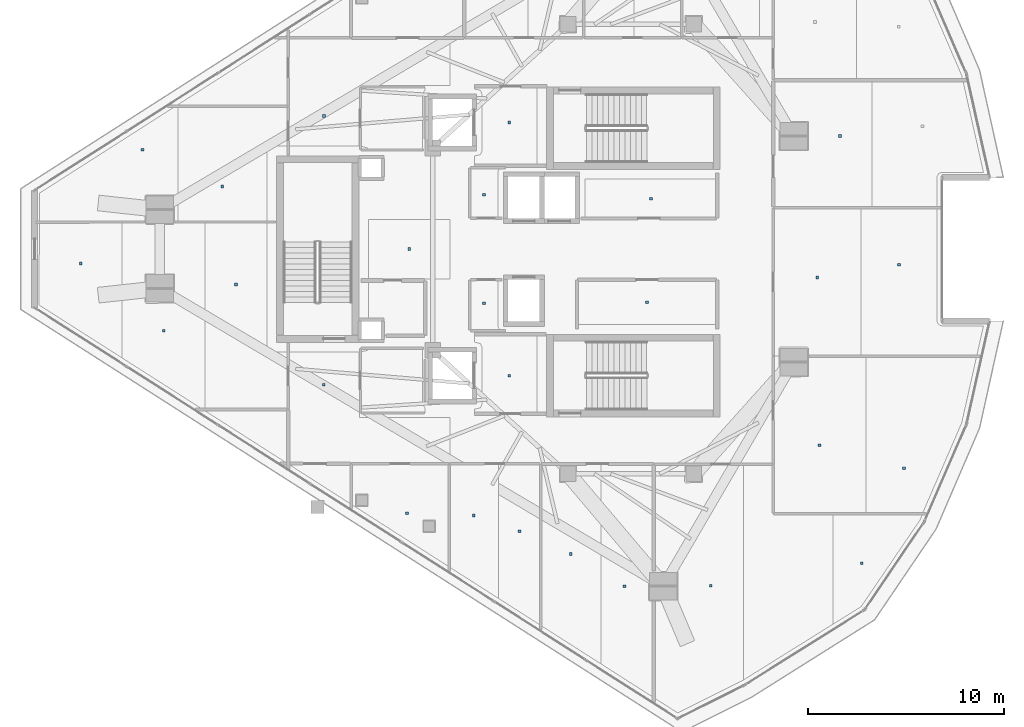
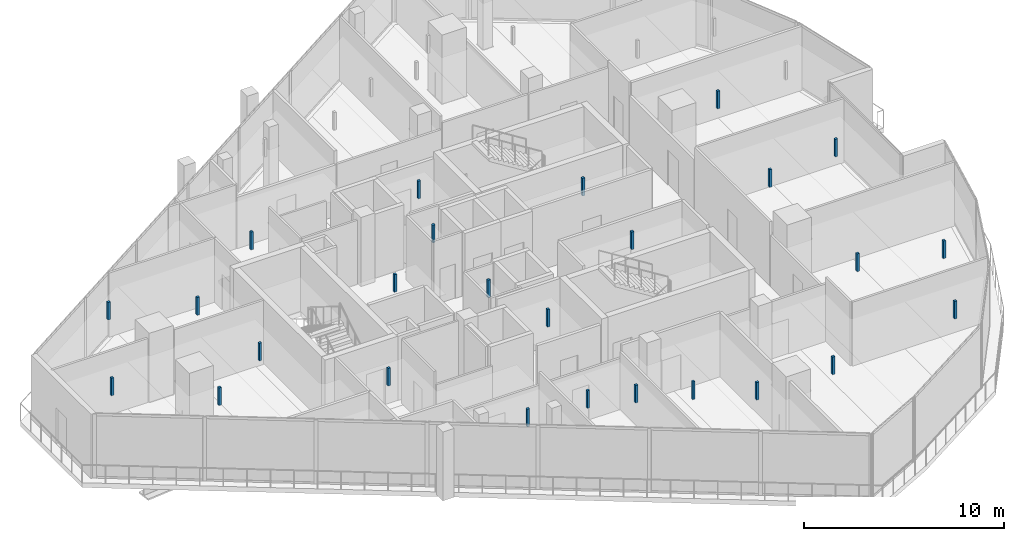
# One storey, part 23 of 29: 26 discrete accessories.
"""IFC4 building model written with IfcOpenShell, lengths in metres."""

from ifc_helpers import new_model, si_unit, direction, frame, origin, origin_2d, place, context, subcontext, project, spatial, rectangle, extrude, material, type_object, element, save


model = new_model("IFC4")

# Units and contexts
model_context = context("Model", 3, precision=1e-05, world=origin(), true_north=direction((0.0, 1.0)))
body_context = subcontext(model_context, "Body", "Model", "MODEL_VIEW")
ifc_project = project(units=[si_unit("LENGTHUNIT", "METRE"), si_unit("AREAUNIT", "SQUARE_METRE"), si_unit("VOLUMEUNIT", "CUBIC_METRE"), si_unit("PLANEANGLEUNIT", "RADIAN"), si_unit("MASSUNIT", "GRAM", prefix="KILO")], contexts=[model_context])

# Site, building, storey
site_placement = place(None, origin())
site = spatial("IfcSite", under=ifc_project, at=site_placement, CompositionType="ELEMENT")
building_placement = place(site_placement, origin())
building = spatial("IfcBuilding", under=site, at=building_placement, Name="Qorvath Tower", CompositionType="ELEMENT")
storey_placement = place(building_placement, frame((0.0, 0.0, 285.0)))
storey = spatial("IfcBuildingStorey", under=building, at=storey_placement, Name="L66", CompositionType="ELEMENT", Elevation=285.0)

# Discrete accessories
ifc_material = material(Name="Galvanised steel bracket", Category="steel")
discrete_accessory_type = type_object("IfcDiscreteAccessoryType", Name="DA-BRACKET", PredefinedType="BRACKET", material=ifc_material)
for number, where, z_axis, x_axis, name in (
    (1, (-26.590087890625, 6.449951171875, 2.85986328125), (0.0, 0.0, 1.0), (1.0, 0.0, 0.0), "Acoustic Ceiling Suspension Hanger T1-L66-001"),
    (2, (-26.590087890625, -6.449951171875, 2.85986328125), (0.0, 0.0, 1.0), (1.0, 0.0, 0.0), "Acoustic Ceiling Suspension Hanger T1-L66-002"),
    (3, (-19.37255859375, 2.5625, 2.85986328125), (0.0, 0.0, 1.0), (1.0, 0.0, 0.0), "Acoustic Ceiling Suspension Hanger T1-L66-003"),
    (4, (-19.574951171875, -2.70751953125, 2.85986328125), (0.0, 0.0, 1.0), (1.0, 0.0, 0.0), "Acoustic Ceiling Suspension Hanger T1-L66-004"),
    (5, (-27.87744140625, 2.762451171875, 2.85986328125), (0.0, 0.0, 1.0), (1.0, 0.0, 0.0), "Acoustic Ceiling Suspension Hanger T1-L66-005"),
    (6, (-27.87744140625, -2.762451171875, 2.85986328125), (0.0, 0.0, 1.0), (1.0, 0.0, 0.0), "Acoustic Ceiling Suspension Hanger T1-L66-006"),
    (7, (-36.04150390625, -6.908447265625, 2.85986328125), (0.0, 0.0, 1.0), (1.0, 0.0, 0.0), "Acoustic Ceiling Suspension Hanger T1-L66-010"),
    (8, (-36.040283203125, 6.782470703125, 2.85986328125), (0.0, 0.0, 1.0), (1.0, 0.0, 0.0), "Acoustic Ceiling Suspension Hanger T1-L66-011"),
    (9, (-31.6875, 0.0, 2.85986328125), (0.0, 0.0, 1.0), (1.0, 0.0, 0.0), "Acoustic Ceiling Suspension Hanger T1-L66-012"),
    (10, (-31.799560546875, -13.45849609375, 2.85986328125), (0.0, 0.0, 1.0), (1.0, 0.0, 0.0), "Acoustic Ceiling Suspension Hanger T1-L66-020"),
    (11, (-28.40087890625, -13.572509765625, 2.85986328125), (0.0, 0.0, 1.0), (1.0, 0.0, 0.0), "Acoustic Ceiling Suspension Hanger T1-L66-021"),
    (12, (-26.076171875, -14.37109375, 2.85986328125), (0.0, 0.0, 1.0), (1.0, 0.0, 0.0), "Acoustic Ceiling Suspension Hanger T1-L66-022"),
    (13, (-23.455810546875, -15.535888671875, 2.85986328125), (0.0, 0.0, 1.0), (1.0, 0.0, 0.0), "Acoustic Ceiling Suspension Hanger T1-L66-023"),
    (14, (-20.720458984375, -17.175537109375, 2.85986328125), (0.0, 0.0, 1.0), (1.0, 0.0, 0.0), "Acoustic Ceiling Suspension Hanger T1-L66-024"),
    (15, (-16.32958984375, -17.154296875, 2.85986328125), (0.0, 0.0, 1.0), (1.0, 0.0, 0.0), "Acoustic Ceiling Suspension Hanger T1-L66-025"),
    (16, (-8.632080078125, -16.005859375, 2.85986328125), (0.0, 0.0, 1.0), (1.0, 0.0, 0.0), "Acoustic Ceiling Suspension Hanger T1-L66-027"),
    (17, (-10.78369140625, -9.994384765625, 2.85986328125), (0.0, 0.0, 1.0), (1.0, 0.0, 0.0), "Acoustic Ceiling Suspension Hanger T1-L66-028"),
    (18, (-6.488037109375, -11.16943359375, 2.85986328125), (0.0, 0.0, 1.0), (1.0, 0.0, 0.0), "Acoustic Ceiling Suspension Hanger T1-L66-029"),
    (19, (-10.90234375, -1.451171875, 2.85986328125), (0.0, 0.0, 1.0), (1.0, 0.0, 0.0), "Acoustic Ceiling Suspension Hanger T1-L66-030"),
    (20, (-6.736083984375, -0.804443359375, 2.85986328125), (0.0, 0.0, 1.0), (1.0, 0.0, 0.0), "Acoustic Ceiling Suspension Hanger T1-L66-031"),
    (21, (-9.739501953125, 5.7578125, 2.85986328125), (0.0, 0.0, 1.0), (1.0, 0.0, 0.0), "Acoustic Ceiling Suspension Hanger T1-L66-032"),
    (22, (-48.431884765625, -0.73974609375, 2.85986328125), (0.0, 0.0, 1.0), (1.0, 0.0, 0.0), "Acoustic Ceiling Suspension Hanger T1-L66-037"),
    (23, (-44.20556640625, -4.157470703125, 2.85986328125), (0.0, 0.0, 1.0), (1.0, 0.0, 0.0), "Acoustic Ceiling Suspension Hanger T1-L66-038"),
    (24, (-40.520751953125, -1.80810546875, 2.85986328125), (0.0, 0.0, 1.0), (1.0, 0.0, 0.0), "Acoustic Ceiling Suspension Hanger T1-L66-039"),
    (25, (-45.2802734375, 5.05712890625, 2.85986328125), (0.0, 0.0, 1.0), (1.0, 0.0, 0.0), "Acoustic Ceiling Suspension Hanger T1-L66-040"),
    (26, (-41.216796875, 3.191650390625, 2.85986328125), (0.0, 0.0, 1.0), (1.0, 0.0, 0.0), "Acoustic Ceiling Suspension Hanger T1-L66-041"),
):
    element("IfcDiscreteAccessory", number, at=place(storey_placement, frame(where, z_axis=z_axis, x_axis=x_axis)), inside=storey, type_object=discrete_accessory_type, Name=name, PredefinedType="NOTDEFINED", context=body_context, shape_type="SweptSolid", body=[
        extrude(rectangle(XDim=0.139892578125, YDim=0.139892578125, at=origin_2d()), origin(), (0.0, 0.0, 1.0), 1.079833984375),
    ])

save(model, "model.ifc")
